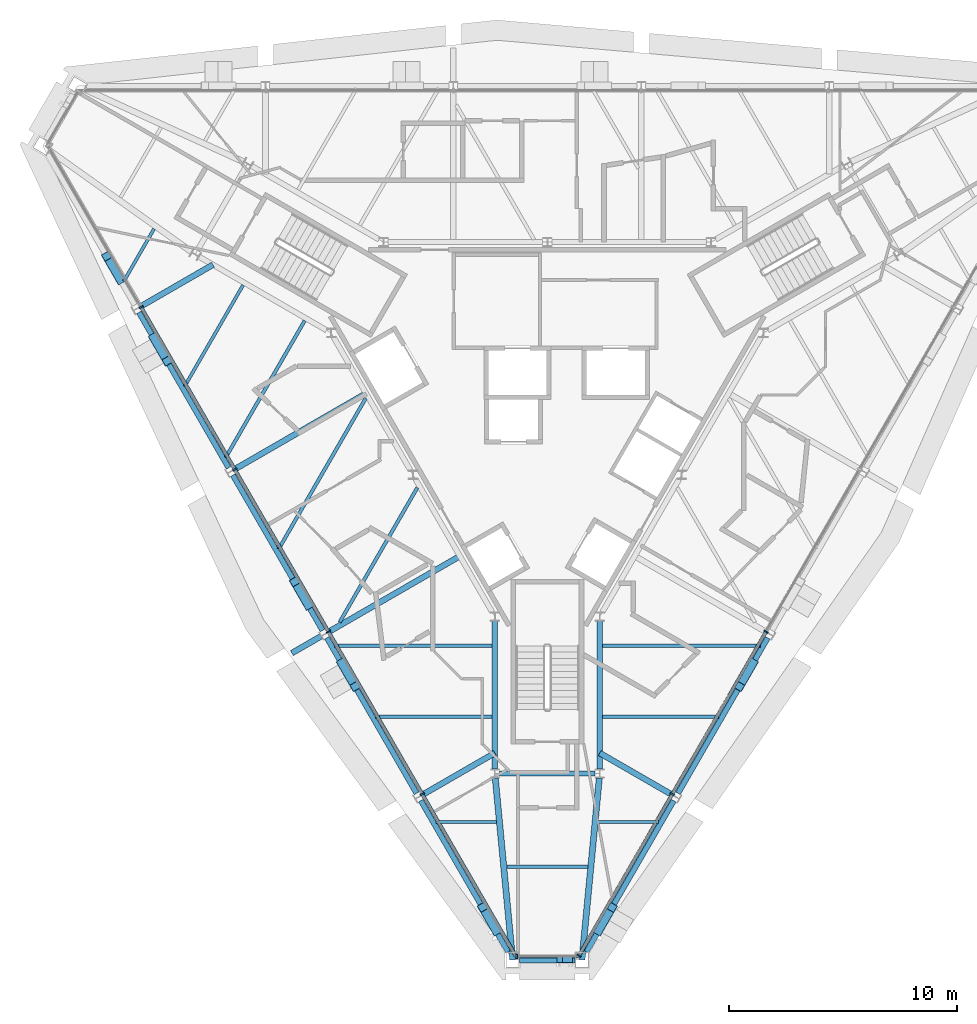
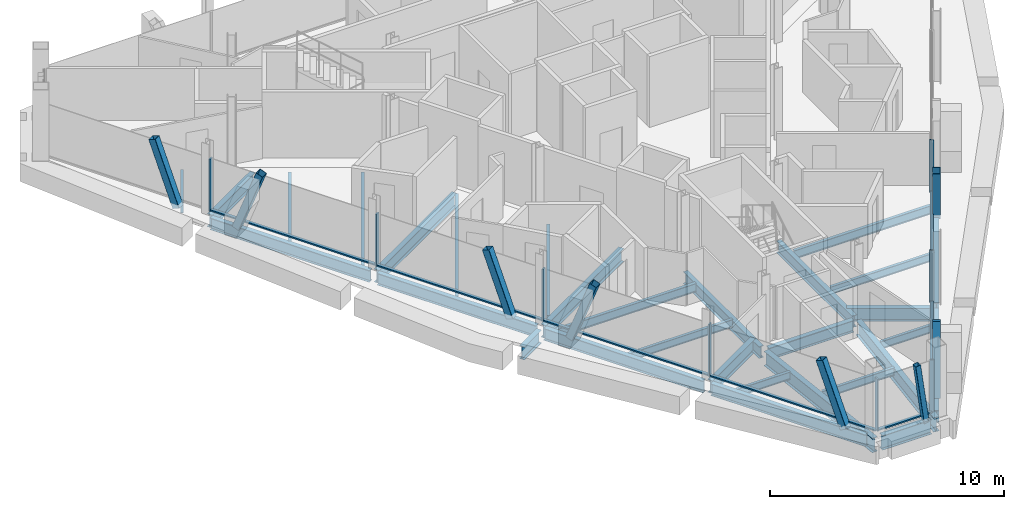
# One storey, part 3 of 13: 30 beams, 23 members, 3 elements without a shape of their own.
"""IFC4 building model written with IfcOpenShell, lengths in metres."""

import ifcopenshell
import ifcopenshell.guid

model = None  # the IFC model being written
_history = None  # IfcOwnerHistory: only IFC2X3 demands one
_inside = {}  # id of a spatial element -> (the spatial element, [elements in it])
_under = {}  # id of a project, library or spatial element -> (it, [spatial elements below it])
_declared = {}  # id of a project -> (the project, [libraries it declares])
_typed = {}  # id of a type object -> (the type object, [elements of that type])
_made_of = {}  # id of a material, layer set ... -> (it, [elements and type objects made of it])


def new_model(schema):
    """Start an empty IFC model of exactly this schema.

    Asked for "IFC4X3", IfcOpenShell would pick the latest addendum, in which some entities
    have other attributes; the version numbers below select the first issue.
    IFC2X3 requires an IfcOwnerHistory on every rooted entity: one is made here for all.
    """
    global model, _history
    if schema == "IFC4X3":
        model = ifcopenshell.file(schema_version=(4, 3, 0, 0))
    else:
        model = ifcopenshell.file(schema=schema)
    _inside.clear()
    _under.clear()
    _declared.clear()
    _typed.clear()
    _made_of.clear()
    _history = None
    if model.schema == "IFC2X3":
        org = make("IfcOrganization", Name="unknown")
        user = make(
            "IfcPersonAndOrganization",
            ThePerson=make("IfcPerson", FamilyName="unknown"),
            TheOrganization=org,
        )
        app = make(
            "IfcApplication",
            ApplicationDeveloper=org,
            Version="unknown",
            ApplicationFullName="unknown",
            ApplicationIdentifier="unknown",
        )
        _history = make(
            "IfcOwnerHistory",
            OwningUser=user,
            OwningApplication=app,
            ChangeAction="ADDED",
            CreationDate=0,
        )
    return model


def make(cls, **values):
    """One entity of the class cls with the attributes given. An attribute that is None is left unset."""
    return model.create_entity(
        cls, **{name: value for name, value in values.items() if value is not None}
    )


def rooted(cls, **values):
    """An entity with a GlobalId (a new one), such as an element, a storey or a relation."""
    return make(cls, GlobalId=ifcopenshell.guid.new(), OwnerHistory=_history, **values)


def si_unit(unit_type, name, prefix=None):
    """IfcSIUnit, for example si_unit("LENGTHUNIT", "METRE", prefix="MILLI")."""
    return make("IfcSIUnit", UnitType=unit_type, Prefix=prefix, Name=name)


def assignment(units):
    """IfcUnitAssignment: the units of a project."""
    return None if units is None else make("IfcUnitAssignment", Units=units)


def point(xyz):
    """IfcCartesianPoint."""
    return None if xyz is None else make("IfcCartesianPoint", Coordinates=xyz)


def direction(xyz):
    """IfcDirection."""
    return None if xyz is None else make("IfcDirection", DirectionRatios=xyz)


def frame(location, z_axis=None, x_axis=None):
    """IfcAxis2Placement3D, a coordinate frame: its origin and axes. An axis left out is left unset."""
    return make(
        "IfcAxis2Placement3D",
        Location=point(location),
        Axis=direction(z_axis),
        RefDirection=direction(x_axis),
    )


def frame_2d(location, x_axis=None):
    """IfcAxis2Placement2D, a coordinate frame in the plane: its origin and x axis."""
    return make(
        "IfcAxis2Placement2D", Location=point(location), RefDirection=direction(x_axis)
    )


def origin():
    """The frame at (0, 0, 0) with its axes left unset."""
    return frame((0.0, 0.0, 0.0))


def origin_2d():
    """The frame at (0, 0) in the plane with its x axis left unset."""
    return frame_2d((0.0, 0.0))


def place(relative_to, where):
    """IfcLocalPlacement: puts the frame where relative to a parent placement (None: the world)."""
    return make(
        "IfcLocalPlacement", PlacementRelTo=relative_to, RelativePlacement=where
    )


def context(
    kind, dimensions, precision=None, world=None, true_north=None, identifier=None
):
    """IfcGeometricRepresentationContext, for example the 3D "Model" context."""
    return make(
        "IfcGeometricRepresentationContext",
        ContextIdentifier=identifier,
        ContextType=kind,
        CoordinateSpaceDimension=dimensions,
        Precision=precision,
        WorldCoordinateSystem=world,
        TrueNorth=true_north,
    )


def subcontext(parent, identifier, kind, view, scale=None):
    """IfcGeometricRepresentationSubContext, for example "Body" below "Model"."""
    return make(
        "IfcGeometricRepresentationSubContext",
        ContextIdentifier=identifier,
        ContextType=kind,
        ParentContext=parent,
        TargetScale=scale,
        TargetView=view,
    )


def project(units=None, contexts=None):
    """IfcProject with its units and contexts."""
    return rooted(
        "IfcProject",
        Name="project",
        RepresentationContexts=contexts,
        UnitsInContext=assignment(units),
    )


def spatial(cls, under=None, at=None, **own):
    """A site, building, storey or space (cls), placed at a placement, below another one or the project."""
    s = rooted(cls, ObjectPlacement=at, **own)
    if under is not None:
        _under.setdefault(under.id(), (under, []))[1].append(s)
    return s


def profile(cls, at=None, kind="AREA", **sizes):
    """A parametric profile (cls). Its sizes go by their IFC names, for example OverallWidth=200.0."""
    return make(cls, ProfileType=kind, Position=at, **sizes)


def rectangle(**sizes):
    """IfcRectangleProfileDef."""
    return profile("IfcRectangleProfileDef", **sizes)


def hollow_rectangle(**sizes):
    """IfcRectangleHollowProfileDef."""
    return profile("IfcRectangleHollowProfileDef", **sizes)


def i_section(**sizes):
    """IfcIShapeProfileDef."""
    return profile("IfcIShapeProfileDef", **sizes)


def extrude(swept, where, along, depth):
    """IfcExtrudedAreaSolid: the profile swept, set in the frame where, extruded along a direction by depth."""
    return make(
        "IfcExtrudedAreaSolid",
        SweptArea=swept,
        Position=where,
        ExtrudedDirection=direction(along),
        Depth=depth,
    )


def shape(context_of_items, identifier, shape_type, items):
    """IfcShapeRepresentation: the items that make up one representation, for example the "Body"."""
    return make(
        "IfcShapeRepresentation",
        ContextOfItems=context_of_items,
        RepresentationIdentifier=identifier,
        RepresentationType=shape_type,
        Items=items,
    )


def material(Name=None, Category=None):
    """IfcMaterial."""
    return make("IfcMaterial", Name=Name, Category=Category)


def material_profile(
    of_material, cross_section, Name=None, Category=None, Priority=None
):
    """IfcMaterialProfile: a cross section and its material."""
    return make(
        "IfcMaterialProfile",
        Name=Name,
        Material=of_material,
        Profile=cross_section,
        Priority=Priority,
        Category=Category,
    )


def profile_set(profiles, Name=None, composite=None):
    """IfcMaterialProfileSet."""
    return make(
        "IfcMaterialProfileSet",
        Name=Name,
        MaterialProfiles=profiles,
        CompositeProfile=composite,
    )


def made_of(thing, what):
    """Note that an element or type object is made of a material, layer set ...; save() writes the relation."""
    if what is not None:
        _made_of.setdefault(what.id(), (what, []))[1].append(thing)
    return thing


def type_object(cls, material=None, **own):
    """A type object (cls), such as IfcWallType, which elements share."""
    return made_of(rooted(cls, **own), material)


def element(
    cls,
    number,
    at=None,
    inside=None,
    cuts=None,
    type_object=None,
    material=None,
    context=None,
    identifier="Body",
    shape_type=None,
    held_by="IfcProductDefinitionShape",
    body=None,
    shapes=None,
    **own,
):
    """One element of the class cls, such as IfcWall. Its Tag is "e" and its number.

    at: its placement. inside: the storey or other place that contains it. cuts: it is an
    opening in that element (IfcRelVoidsElement). A single representation is given by context,
    identifier, shape_type and body (its items); several are given by shapes. held_by: the class
    of the entity that holds the representations. save() writes the other relations.
    """
    e = rooted(cls, Tag="e%d" % number, ObjectPlacement=at, **own)
    if body is not None:
        shapes = [shape(context, identifier, shape_type, body)]
    if shapes is not None:
        e.Representation = make(held_by, Representations=shapes)
    if inside is not None:
        _inside.setdefault(inside.id(), (inside, []))[1].append(e)
    if cuts is not None:
        rooted(
            "IfcRelVoidsElement", RelatingBuildingElement=cuts, RelatedOpeningElement=e
        )
    if type_object is not None:
        _typed.setdefault(type_object.id(), (type_object, []))[1].append(e)
    return made_of(e, material)


def aggregate(whole, parts):
    """IfcRelAggregates: a whole, such as a stair, and the parts it consists of."""
    return rooted("IfcRelAggregates", RelatingObject=whole, RelatedObjects=parts)


def save(model, path):
    """Write the relations noted so far, then the file.

    IfcRelAggregates (storeys below a building ...), IfcRelContainedInSpatialStructure (elements
    in a storey), IfcRelDefinesByType, IfcRelAssociatesMaterial and IfcRelDeclares: one each for
    every whole, place, type object, material and project.
    """
    for whole, parts in _under.values():
        aggregate(whole, parts)
    for where, things in _inside.values():
        rooted(
            "IfcRelContainedInSpatialStructure",
            RelatedElements=things,
            RelatingStructure=where,
        )
    for kind, things in _typed.values():
        rooted("IfcRelDefinesByType", RelatedObjects=things, RelatingType=kind)
    for what, things in _made_of.values():
        rooted("IfcRelAssociatesMaterial", RelatedObjects=things, RelatingMaterial=what)
    for by, libraries in _declared.values():
        rooted("IfcRelDeclares", RelatingContext=by, RelatedDefinitions=libraries)
    model.write(path)


model = new_model("IFC4")

# Units and contexts
model_context = context("Model", 3, precision=1e-05, world=origin(), true_north=direction((0.0, 1.0)))
body_context = subcontext(model_context, "Body", "Model", "MODEL_VIEW")
ifc_project = project(units=[si_unit("LENGTHUNIT", "METRE"), si_unit("AREAUNIT", "SQUARE_METRE"), si_unit("VOLUMEUNIT", "CUBIC_METRE"), si_unit("PLANEANGLEUNIT", "RADIAN"), si_unit("MASSUNIT", "GRAM", prefix="KILO")], contexts=[model_context])

# Site, building, storey
site_placement = place(None, origin())
site = spatial("IfcSite", under=ifc_project, at=site_placement, CompositionType="ELEMENT")
building_placement = place(site_placement, origin())
building = spatial("IfcBuilding", under=site, at=building_placement, Name="Verrane Prism Tower", CompositionType="ELEMENT")
storey_placement = place(building_placement, frame((0.0, 0.0, 289.89990234375)))
storey = spatial("IfcBuildingStorey", under=building, at=storey_placement, Name="L73", CompositionType="ELEMENT", Elevation=289.89990234375)

# Member
ifc_material_1 = material(Name="Steel A500 Grade C", Category="steel")
ifc_material_profile_1 = material_profile(ifc_material_1, hollow_rectangle(XDim=0.25390625, YDim=0.25390625, WallThickness=0.009521484375, InnerFilletRadius=0.0048828125, OuterFilletRadius=0.014404296875, at=origin_2d()), Name="HSS10x10x3/8")
ifc_profile_set_1 = profile_set([ifc_material_profile_1], Name="Steel A500 Grade C")
member_type_1 = type_object("IfcMemberType", Name="Chamfer brace HSS10x10x3/8", PredefinedType="BRACE", material=ifc_profile_set_1)
member_1_placement = place(storey_placement, frame((0.972900390625, -24.669921875, -0.242431640625), z_axis=(-0.135720914118, 0.0, 0.990747108737), x_axis=(0.0, -1.0, 0.0)))
element("IfcMember", 1, at=member_1_placement, inside=storey, type_object=member_type_1, Name="Chamfer brace S0 L73", PredefinedType="BRACE", context=body_context, shape_type="SweptSolid", body=[
    extrude(hollow_rectangle(XDim=0.25390625, YDim=0.25390625, WallThickness=0.009521484375, InnerFilletRadius=0.0048828125, OuterFilletRadius=0.014404296875, at=origin_2d()), origin(), (0.0, 0.0, 1.0), 3.13720703125),
])

# Beams
ifc_material_2 = material(Name="Steel A992", Category="steel")
ifc_material_profile_2 = material_profile(ifc_material_2, i_section(OverallWidth=0.2666015625, OverallDepth=0.7568359375, WebThickness=0.013916015625, FlangeThickness=0.019287109375, FilletRadius=0.0166015625, at=origin_2d()), Name="W30x108")
ifc_profile_set_2 = profile_set([ifc_material_profile_2], Name="Steel A992")
beam_type_1 = type_object("IfcBeamType", Name="Chamfer spandrel beam W30x108", PredefinedType="SPANDREL", material=ifc_profile_set_2)
beam_1_placement = place(storey_placement, frame((-1.219970703125, -24.669921875, -0.538330078125), z_axis=(1.0, 0.0, 0.0), x_axis=(0.0, 1.0, 0.0)))
element("IfcBeam", 2, at=beam_1_placement, inside=storey, type_object=beam_type_1, Name="Chamfer spandrel beam L73", PredefinedType="SPANDREL", context=body_context, shape_type="SweptSolid", body=[
    extrude(i_section(OverallWidth=0.2666015625, OverallDepth=0.7568359375, WebThickness=0.013916015625, FlangeThickness=0.019287109375, FilletRadius=0.0166015625, at=origin_2d()), origin(), (0.0, 0.0, 1.0), 2.43994140625),
])
ifc_material_3 = material(Name="Steel A992", Category="steel")
ifc_material_profile_3 = material_profile(ifc_material_3, i_section(OverallWidth=0.23046875, OverallDepth=0.6171875, WebThickness=0.01318359375, FlangeThickness=0.022216796875, FilletRadius=0.012939453125, at=origin_2d()), Name="W24x94")
ifc_profile_set_3 = profile_set([ifc_material_profile_3], Name="Steel A992")
beam_type_2 = type_object("IfcBeamType", Name="Core ring girder W24x94", PredefinedType="BEAM", material=ifc_profile_set_3)
beam_2_placement = place(storey_placement, frame((-2.300048828125, -9.81298828125, -0.55859375), z_axis=(0.0, -1.0, 0.0), x_axis=(1.0, 0.0, 0.0)))
element("IfcBeam", 3, at=beam_2_placement, inside=storey, type_object=beam_type_2, Name="Core ring girder L73", PredefinedType="BEAM", context=body_context, shape_type="SweptSolid", body=[
    extrude(i_section(OverallWidth=0.23046875, OverallDepth=0.6171875, WebThickness=0.01318359375, FlangeThickness=0.022216796875, FilletRadius=0.012939453125, at=origin_2d()), origin(), (0.0, 0.0, 1.0), 6.487548828125),
])
beam_3_placement = place(storey_placement, frame((-2.099365234375, -16.5, -0.55859375), z_axis=(1.0, 0.0, 0.0), x_axis=(0.0, 1.0, 0.0)))
element("IfcBeam", 4, at=beam_3_placement, inside=storey, type_object=beam_type_2, Name="Core ring girder L73", PredefinedType="BEAM", context=body_context, shape_type="SweptSolid", body=[
    extrude(i_section(OverallWidth=0.23046875, OverallDepth=0.6171875, WebThickness=0.01318359375, FlangeThickness=0.022216796875, FilletRadius=0.012939453125, at=origin_2d()), origin(), (0.0, 0.0, 1.0), 4.19873046875),
])
beam_4_placement = place(storey_placement, frame((2.300048828125, -16.300537109375, -0.55859375), z_axis=(0.0, 1.0, 0.0), x_axis=(-1.0, 0.0, 0.0)))
element("IfcBeam", 5, at=beam_4_placement, inside=storey, type_object=beam_type_2, Name="Core ring girder L73", PredefinedType="BEAM", context=body_context, shape_type="SweptSolid", body=[
    extrude(i_section(OverallWidth=0.23046875, OverallDepth=0.6171875, WebThickness=0.01318359375, FlangeThickness=0.022216796875, FilletRadius=0.012939453125, at=origin_2d()), origin(), (0.0, 0.0, 1.0), 6.487548828125),
])
ifc_material_4 = material(Name="Steel A992", Category="steel")
ifc_material_profile_4 = material_profile(ifc_material_4, i_section(OverallWidth=0.2666015625, OverallDepth=0.7568359375, WebThickness=0.013916015625, FlangeThickness=0.019287109375, FilletRadius=0.0166015625, at=origin_2d()), Name="W30x108")
ifc_profile_set_4 = profile_set([ifc_material_profile_4], Name="Steel A992")
beam_type_3 = type_object("IfcBeamType", Name="Corner girder W30x108", PredefinedType="BEAM", material=ifc_profile_set_4)
for number, where, z_axis, x_axis, name in (
    (6, (-1.520263671875, -24.667236328125, -0.598388671875), (-0.095045157177, 0.995472962012, 0.0), (-0.995472962012, -0.095045157177, 0.0), "Corner girder L73"),
    (7, (1.520263671875, -24.667236328125, -0.598388671875), (0.095045157177, 0.995472962012, 0.0), (-0.995472962012, 0.095045157177, 0.0), "Corner girder L73"),
):
    element("IfcBeam", number, at=place(storey_placement, frame(where, z_axis=z_axis, x_axis=x_axis)), inside=storey, type_object=beam_type_3, Name=name, PredefinedType="BEAM", context=body_context, shape_type="SweptSolid", body=[
        extrude(i_section(OverallWidth=0.2666015625, OverallDepth=0.7568359375, WebThickness=0.013916015625, FlangeThickness=0.019287109375, FilletRadius=0.0166015625, at=origin_2d()), origin(), (0.0, 0.0, 1.0), 8.00390625),
    ])

# Members
ifc_material_5 = material(Name="Steel A500 Grade C", Category="steel")
ifc_material_profile_5 = material_profile(ifc_material_5, hollow_rectangle(XDim=0.355712890625, YDim=0.355712890625, WallThickness=0.0126953125, InnerFilletRadius=0.00634765625, OuterFilletRadius=0.01904296875, at=origin_2d()), Name="HSS14x14x1/2")
ifc_profile_set_5 = profile_set([ifc_material_profile_5], Name="Steel A500 Grade C")
member_type_2 = type_object("IfcMemberType", Name="Facade brace HSS14x14x1/2", PredefinedType="BRACE", material=ifc_profile_set_5)
member_2_placement = place(storey_placement, frame((-18.7333984375, 5.15087890625, -0.216552734375), z_axis=(-0.174010693257, 0.30154692564, 0.937437854084), x_axis=(-0.86613421761, -0.499811481546, 0.0)))
element("IfcMember", 8, at=member_2_placement, inside=storey, type_object=member_type_2, Name="Facade brace SW0 L73", PredefinedType="BRACE", context=body_context, shape_type="SweptSolid", body=[
    extrude(hollow_rectangle(XDim=0.355712890625, YDim=0.355712890625, WallThickness=0.0126953125, InnerFilletRadius=0.00634765625, OuterFilletRadius=0.01904296875, at=origin_2d()), origin(), (0.0, 0.0, 1.0), 3.409423828125),
])
member_3_placement = place(storey_placement, frame((-17.2666015625, 2.60888671875, -0.216552734375), z_axis=(0.174014450445, -0.301481825669, 0.937458094972), x_axis=(0.86608282171, 0.499900536046, 0.0)))
element("IfcMember", 9, at=member_3_placement, inside=storey, type_object=member_type_2, Name="Facade brace SW1 L73", PredefinedType="BRACE", context=body_context, shape_type="SweptSolid", body=[
    extrude(hollow_rectangle(XDim=0.355712890625, YDim=0.355712890625, WallThickness=0.0126953125, InnerFilletRadius=0.00634765625, OuterFilletRadius=0.01904296875, at=origin_2d()), origin(), (0.0, 0.0, 1.0), 3.4091796875),
])
member_4_placement = place(storey_placement, frame((-10.493408203125, -9.120849609375, -0.216552734375), z_axis=(-0.17403322665, 0.301156262578, 0.937559246945), x_axis=(-0.865825429664, -0.500346205489, 0.0)))
element("IfcMember", 10, at=member_4_placement, inside=storey, type_object=member_type_2, Name="Facade brace SW2 L73", PredefinedType="BRACE", context=body_context, shape_type="SweptSolid", body=[
    extrude(hollow_rectangle(XDim=0.355712890625, YDim=0.355712890625, WallThickness=0.0126953125, InnerFilletRadius=0.00634765625, OuterFilletRadius=0.01904296875, at=origin_2d()), origin(), (0.0, 0.0, 1.0), 3.408935546875),
])
member_5_placement = place(storey_placement, frame((-9.026611328125, -11.660888671875, -0.216552734375), z_axis=(0.174010693257, -0.30154692564, 0.937437854084), x_axis=(0.86613421761, 0.499811481546, 0.0)))
element("IfcMember", 11, at=member_5_placement, inside=storey, type_object=member_type_2, Name="Facade brace SW3 L73", PredefinedType="BRACE", context=body_context, shape_type="SweptSolid", body=[
    extrude(hollow_rectangle(XDim=0.355712890625, YDim=0.355712890625, WallThickness=0.0126953125, InnerFilletRadius=0.00634765625, OuterFilletRadius=0.01904296875, at=origin_2d()), origin(), (0.0, 0.0, 1.0), 3.409423828125),
])
for number, where, z_axis, x_axis, name in (
    (12, (-2.25341796875, -23.39892578125, -0.216552734375), (-0.174014450445, 0.301481825669, 0.937458094972), (-0.86608282171, -0.499900536046, 0.0), "Facade brace SW4 L73"),
    (13, (2.25341796875, -23.39892578125, -0.216552734375), (0.174014450445, 0.301481825669, 0.937458094972), (-0.86608282171, 0.499900536046, 0.0), "Facade brace SE0 L73"),
):
    element("IfcMember", number, at=place(storey_placement, frame(where, z_axis=z_axis, x_axis=x_axis)), inside=storey, type_object=member_type_2, Name=name, PredefinedType="BRACE", context=body_context, shape_type="SweptSolid", body=[
        extrude(hollow_rectangle(XDim=0.355712890625, YDim=0.355712890625, WallThickness=0.0126953125, InnerFilletRadius=0.00634765625, OuterFilletRadius=0.01904296875, at=origin_2d()), origin(), (0.0, 0.0, 1.0), 3.4091796875),
    ])
member_6_placement = place(storey_placement, frame((9.026611328125, -11.660888671875, -0.216552734375), z_axis=(-0.174010693257, -0.30154692564, 0.937437854084), x_axis=(0.86613421761, -0.499811481546, 0.0)))
element("IfcMember", 14, at=member_6_placement, inside=storey, type_object=member_type_2, Name="Facade brace SE1 L73", PredefinedType="BRACE", context=body_context, shape_type="SweptSolid", body=[
    extrude(hollow_rectangle(XDim=0.355712890625, YDim=0.355712890625, WallThickness=0.0126953125, InnerFilletRadius=0.00634765625, OuterFilletRadius=0.01904296875, at=origin_2d()), origin(), (0.0, 0.0, 1.0), 3.409423828125),
])

# Beams
ifc_material_6 = material(Name="Steel A992", Category="steel")
ifc_material_profile_6 = material_profile(ifc_material_6, i_section(OverallWidth=0.140380859375, OverallDepth=0.40380859375, WebThickness=0.007080078125, FlangeThickness=0.01123046875, FilletRadius=0.01025390625, at=origin_2d()), Name="W16x31")
ifc_profile_set_6 = profile_set([ifc_material_profile_6], Name="Steel A992")
beam_type_4 = type_object("IfcBeamType", Name="Floor beam W16x31", PredefinedType="BEAM", material=ifc_profile_set_6)
beam_5_placement = place(storey_placement, frame((-18.565185546875, 5.089599609375, -0.36181640625), z_axis=(0.49994082229, 0.866059567356, 0.0), x_axis=(-0.866059567356, 0.49994082229, 0.0)))
element("IfcBeam", 15, at=beam_5_placement, inside=storey, type_object=beam_type_4, Name="Floor beam L73", PredefinedType="BEAM", context=body_context, shape_type="SweptSolid", body=[
    extrude(i_section(OverallWidth=0.140380859375, OverallDepth=0.40380859375, WebThickness=0.007080078125, FlangeThickness=0.01123046875, FilletRadius=0.01025390625, at=origin_2d()), origin(), (0.0, 0.0, 1.0), 2.645263671875),
])
beam_6_placement = place(storey_placement, frame((-15.902099609375, 0.474609375, -0.36181640625), z_axis=(0.500011000363, 0.866019052629, 0.0), x_axis=(-0.866019052629, 0.500011000363, 0.0)))
element("IfcBeam", 16, at=beam_6_placement, inside=storey, type_object=beam_type_4, Name="Floor beam L73", PredefinedType="BEAM", context=body_context, shape_type="SweptSolid", body=[
    extrude(i_section(OverallWidth=0.140380859375, OverallDepth=0.40380859375, WebThickness=0.007080078125, FlangeThickness=0.01123046875, FilletRadius=0.01025390625, at=origin_2d()), origin(), (0.0, 0.0, 1.0), 5.126953125),
])
beam_7_placement = place(storey_placement, frame((-7.538330078125, -14.010009765625, -0.36181640625), z_axis=(1.0, 0.0, 0.0), x_axis=(0.0, 1.0, 0.0)))
element("IfcBeam", 17, at=beam_7_placement, inside=storey, type_object=beam_type_4, Name="Floor beam L73", PredefinedType="BEAM", context=body_context, shape_type="SweptSolid", body=[
    extrude(i_section(OverallWidth=0.140380859375, OverallDepth=0.40380859375, WebThickness=0.007080078125, FlangeThickness=0.01123046875, FilletRadius=0.01025390625, at=origin_2d()), origin(), (0.0, 0.0, 1.0), 5.123291015625),
])
for number, where, z_axis, x_axis, name in (
    (18, (-4.876220703125, -18.623291015625, -0.36181640625), (1.0, 0.0, 0.0), (0.0, 1.0, 0.0), "Floor beam L73"),
    (19, (2.2314453125, -18.623291015625, -0.36181640625), (1.0, 0.0, 0.0), (0.0, 1.0, 0.0), "Floor beam L73"),
):
    element("IfcBeam", number, at=place(storey_placement, frame(where, z_axis=z_axis, x_axis=x_axis)), inside=storey, type_object=beam_type_4, Name=name, PredefinedType="BEAM", context=body_context, shape_type="SweptSolid", body=[
        extrude(i_section(OverallWidth=0.140380859375, OverallDepth=0.40380859375, WebThickness=0.007080078125, FlangeThickness=0.01123046875, FilletRadius=0.01025390625, at=origin_2d()), origin(), (0.0, 0.0, 1.0), 2.644775390625),
    ])
beam_8_placement = place(storey_placement, frame((2.4150390625, -14.010009765625, -0.36181640625), z_axis=(1.0, 0.0, 0.0), x_axis=(0.0, 1.0, 0.0)))
element("IfcBeam", 20, at=beam_8_placement, inside=storey, type_object=beam_type_4, Name="Floor beam L73", PredefinedType="BEAM", context=body_context, shape_type="SweptSolid", body=[
    extrude(i_section(OverallWidth=0.140380859375, OverallDepth=0.40380859375, WebThickness=0.007080078125, FlangeThickness=0.01123046875, FilletRadius=0.01025390625, at=origin_2d()), origin(), (0.0, 0.0, 1.0), 5.123291015625),
])
beam_9_placement = place(storey_placement, frame((-1.77587890625, -20.5849609375, -0.36181640625), z_axis=(1.0, 0.0, 0.0), x_axis=(0.0, 1.0, 0.0)))
element("IfcBeam", 21, at=beam_9_placement, inside=storey, type_object=beam_type_4, Name="Floor beam L73", PredefinedType="BEAM", context=body_context, shape_type="SweptSolid", body=[
    extrude(i_section(OverallWidth=0.140380859375, OverallDepth=0.40380859375, WebThickness=0.007080078125, FlangeThickness=0.01123046875, FilletRadius=0.01025390625, at=origin_2d()), origin(), (0.0, 0.0, 1.0), 3.5517578125),
])
ifc_material_7 = material(Name="Steel A992", Category="steel")
ifc_material_profile_7 = material_profile(ifc_material_7, i_section(OverallWidth=0.15234375, OverallDepth=0.449462890625, WebThickness=0.007568359375, FlangeThickness=0.0107421875, FilletRadius=0.01025390625, at=origin_2d()), Name="W18x35")
ifc_profile_set_7 = profile_set([ifc_material_profile_7], Name="Steel A992")
beam_type_5 = type_object("IfcBeamType", Name="Floor beam W18x35", PredefinedType="BEAM", material=ifc_profile_set_7)
beam_10_placement = place(storey_placement, frame((-14.1015625, -2.64599609375, -0.384765625), z_axis=(0.49999287541, 0.866029517129, 0.0), x_axis=(-0.866029517129, 0.49999287541, 0.0)))
element("IfcBeam", 22, at=beam_10_placement, inside=storey, type_object=beam_type_5, Name="Floor beam L73", PredefinedType="BEAM", context=body_context, shape_type="SweptSolid", body=[
    extrude(i_section(OverallWidth=0.15234375, OverallDepth=0.449462890625, WebThickness=0.007568359375, FlangeThickness=0.0107421875, FilletRadius=0.01025390625, at=origin_2d()), origin(), (0.0, 0.0, 1.0), 6.92919921875),
])
beam_11_placement = place(storey_placement, frame((-9.103271484375, -9.864501953125, -0.384765625), z_axis=(0.49999337185, 0.866029230515, 0.0), x_axis=(-0.866029230515, 0.49999337185, 0.0)))
element("IfcBeam", 23, at=beam_11_placement, inside=storey, type_object=beam_type_5, Name="Floor beam L73", PredefinedType="BEAM", context=body_context, shape_type="SweptSolid", body=[
    extrude(i_section(OverallWidth=0.15234375, OverallDepth=0.449462890625, WebThickness=0.007568359375, FlangeThickness=0.0107421875, FilletRadius=0.01025390625, at=origin_2d()), origin(), (0.0, 0.0, 1.0), 6.8125),
])
beam_12_placement = place(storey_placement, frame((-11.78076171875, -6.6630859375, -0.384765625), z_axis=(0.499997113229, 0.866027070456, 0.0), x_axis=(-0.866027070456, 0.499997113229, 0.0)))
element("IfcBeam", 24, at=beam_12_placement, inside=storey, type_object=beam_type_5, Name="Floor beam L73", PredefinedType="BEAM", context=body_context, shape_type="SweptSolid", body=[
    extrude(i_section(OverallWidth=0.15234375, OverallDepth=0.449462890625, WebThickness=0.007568359375, FlangeThickness=0.0107421875, FilletRadius=0.01025390625, at=origin_2d()), origin(), (0.0, 0.0, 1.0), 7.64306640625),
])
for number, where, z_axis, x_axis, name in (
    (25, (-9.338623046875, -10.889892578125, -0.384765625), (1.0, 0.0, 0.0), (0.0, 1.0, 0.0), "Floor beam L73"),
    (26, (2.4150390625, -10.889892578125, -0.384765625), (1.0, 0.0, 0.0), (0.0, 1.0, 0.0), "Floor beam L73"),
):
    element("IfcBeam", number, at=place(storey_placement, frame(where, z_axis=z_axis, x_axis=x_axis)), inside=storey, type_object=beam_type_5, Name=name, PredefinedType="BEAM", context=body_context, shape_type="SweptSolid", body=[
        extrude(i_section(OverallWidth=0.15234375, OverallDepth=0.449462890625, WebThickness=0.007568359375, FlangeThickness=0.0107421875, FilletRadius=0.01025390625, at=origin_2d()), origin(), (0.0, 0.0, 1.0), 6.923583984375),
    ])

# Curtain wall, members
ifc_material_8 = material(Name="Aluminium framed insulated glazing", Category="aluminium")
curtain_wall_type = type_object("IfcCurtainWallType", Name="Curtain wall CW-A 8400 module", PredefinedType="NOTDEFINED", material=ifc_material_8)
curtain_wall_1_placement = place(storey_placement, origin())
curtain_wall_1 = element("IfcCurtainWall", 27, at=curtain_wall_1_placement, inside=storey, type_object=curtain_wall_type, Name="Glazed curtain wall south-west face L73", PredefinedType="NOTDEFINED")
ifc_material_9 = material(Name="Aluminium alloy 6063-T6", Category="aluminium")
ifc_material_profile_8 = material_profile(ifc_material_9, rectangle(XDim=0.199951171875, YDim=0.070068359375, at=origin_2d()), Name="Mullion 70x200 aluminium")
ifc_profile_set_8 = profile_set([ifc_material_profile_8], Name="Aluminium alloy 6063-T6")
member_type_3 = type_object("IfcMemberType", Name="Mullion 70x200 aluminium", PredefinedType="MULLION", material=ifc_profile_set_8)
member_7_placement = place(storey_placement, frame((-17.8095703125, 3.952392578125, 0.0), z_axis=(0.0, 0.0, 1.0), x_axis=(0.866024861728, 0.500000938868, 0.0)))
member_7 = element("IfcMember", 28, at=member_7_placement, type_object=member_type_3, Name="CW72.4 mullion 2", PredefinedType="MULLION", context=body_context, shape_type="SweptSolid", body=[
    extrude(rectangle(XDim=0.199951171875, YDim=0.070068359375, at=origin_2d()), origin(), (0.0, 0.0, 1.0), 2.72314453125),
])
member_8_placement = place(storey_placement, frame((-13.7001953125, -3.1650390625, 0.0), z_axis=(0.0, 0.0, 1.0), x_axis=(0.866024861728, 0.500000938868, 0.0)))
member_8 = element("IfcMember", 29, at=member_8_placement, type_object=member_type_3, Name="CW72.4 mullion 3", PredefinedType="MULLION", context=body_context, shape_type="SweptSolid", body=[
    extrude(rectangle(XDim=0.199951171875, YDim=0.070068359375, at=origin_2d()), origin(), (0.0, 0.0, 1.0), 2.72314453125),
])
member_9_placement = place(storey_placement, frame((-9.591064453125, -10.2822265625, 0.0), z_axis=(0.0, 0.0, 1.0), x_axis=(0.866024861728, 0.500000938868, 0.0)))
member_9 = element("IfcMember", 30, at=member_9_placement, type_object=member_type_3, Name="CW72.4 mullion 4", PredefinedType="MULLION", context=body_context, shape_type="SweptSolid", body=[
    extrude(rectangle(XDim=0.199951171875, YDim=0.070068359375, at=origin_2d()), origin(), (0.0, 0.0, 1.0), 2.72314453125),
])
member_10_placement = place(storey_placement, frame((-5.48193359375, -17.399658203125, 0.0), z_axis=(0.0, 0.0, 1.0), x_axis=(0.866024861728, 0.500000938868, 0.0)))
member_10 = element("IfcMember", 31, at=member_10_placement, type_object=member_type_3, Name="CW72.4 mullion 5", PredefinedType="MULLION", context=body_context, shape_type="SweptSolid", body=[
    extrude(rectangle(XDim=0.199951171875, YDim=0.070068359375, at=origin_2d()), origin(), (0.0, 0.0, 1.0), 2.72314453125),
])

# Curtain wall, member
curtain_wall_2_placement = place(storey_placement, origin())
curtain_wall_2 = element("IfcCurtainWall", 32, at=curtain_wall_2_placement, inside=storey, type_object=curtain_wall_type, Name="Glazed curtain wall south corner L73", PredefinedType="NOTDEFINED")
member_11_placement = place(storey_placement, frame((-1.337646484375, -24.51708984375, 0.0), z_axis=(0.0, 0.0, 1.0), x_axis=(0.0, 1.0, 0.0)))
member_11 = element("IfcMember", 33, at=member_11_placement, type_object=member_type_3, Name="CW72.5 mullion 1", PredefinedType="MULLION", context=body_context, shape_type="SweptSolid", body=[
    extrude(rectangle(XDim=0.199951171875, YDim=0.070068359375, at=origin_2d()), origin(), (0.0, 0.0, 1.0), 2.72314453125),
])

# Curtain wall, members
curtain_wall_3_placement = place(storey_placement, origin())
curtain_wall_3 = element("IfcCurtainWall", 34, at=curtain_wall_3_placement, inside=storey, type_object=curtain_wall_type, Name="Glazed curtain wall south-east face L73", PredefinedType="NOTDEFINED")
member_12_placement = place(storey_placement, frame((1.39013671875, -24.486572265625, 0.0), z_axis=(0.0, 0.0, 1.0), x_axis=(-0.866024861728, 0.500000938868, 0.0)))
member_12 = element("IfcMember", 35, at=member_12_placement, type_object=member_type_3, Name="CW72.6 mullion 1", PredefinedType="MULLION", context=body_context, shape_type="SweptSolid", body=[
    extrude(rectangle(XDim=0.199951171875, YDim=0.070068359375, at=origin_2d()), origin(), (0.0, 0.0, 1.0), 2.72314453125),
])
member_13_placement = place(storey_placement, frame((5.48193359375, -17.399658203125, 0.0), z_axis=(0.0, 0.0, 1.0), x_axis=(-0.866024861728, 0.500000938868, 0.0)))
member_13 = element("IfcMember", 36, at=member_13_placement, type_object=member_type_3, Name="CW72.6 mullion 2", PredefinedType="MULLION", context=body_context, shape_type="SweptSolid", body=[
    extrude(rectangle(XDim=0.199951171875, YDim=0.070068359375, at=origin_2d()), origin(), (0.0, 0.0, 1.0), 2.72314453125),
])
member_14_placement = place(storey_placement, frame((9.591064453125, -10.2822265625, 0.0), z_axis=(0.0, 0.0, 1.0), x_axis=(-0.866024861728, 0.500000938868, 0.0)))
member_14 = element("IfcMember", 37, at=member_14_placement, type_object=member_type_3, Name="CW72.6 mullion 3", PredefinedType="MULLION", context=body_context, shape_type="SweptSolid", body=[
    extrude(rectangle(XDim=0.199951171875, YDim=0.070068359375, at=origin_2d()), origin(), (0.0, 0.0, 1.0), 2.72314453125),
])

# Beams
ifc_material_10 = material(Name="Steel A992", Category="steel")
ifc_material_profile_9 = material_profile(ifc_material_10, i_section(OverallWidth=0.25390625, OverallDepth=0.683349609375, WebThickness=0.012451171875, FlangeThickness=0.01904296875, FilletRadius=0.01513671875, at=origin_2d()), Name="W27x94")
ifc_profile_set_9 = profile_set([ifc_material_profile_9], Name="Steel A992")
beam_type_6 = type_object("IfcBeamType", Name="Radial girder W27x94", PredefinedType="BEAM", material=ifc_profile_set_9)
beam_13_placement = place(storey_placement, frame((-17.840576171875, 3.97216796875, -0.5615234375), z_axis=(0.866042841795, 0.499969795263, 0.0), x_axis=(-0.499969795263, 0.866042841795, 0.0)))
element("IfcBeam", 38, at=beam_13_placement, inside=storey, type_object=beam_type_6, Name="Radial girder L73", PredefinedType="BEAM", context=body_context, shape_type="SweptSolid", body=[
    extrude(i_section(OverallWidth=0.25390625, OverallDepth=0.683349609375, WebThickness=0.012451171875, FlangeThickness=0.01904296875, FilletRadius=0.01513671875, at=origin_2d()), origin(), (0.0, 0.0, 1.0), 3.674072265625),
])
beam_14_placement = place(storey_placement, frame((-13.720458984375, -3.16796875, -0.5615234375), z_axis=(0.866025791777, 0.499999327977, 0.0), x_axis=(-0.499999327977, 0.866025791777, 0.0)))
element("IfcBeam", 39, at=beam_14_placement, inside=storey, type_object=beam_type_6, Name="Radial girder L73", PredefinedType="BEAM", context=body_context, shape_type="SweptSolid", body=[
    extrude(i_section(OverallWidth=0.25390625, OverallDepth=0.683349609375, WebThickness=0.012451171875, FlangeThickness=0.01904296875, FilletRadius=0.01513671875, at=origin_2d()), origin(), (0.0, 0.0, 1.0), 6.666015625),
])
beam_15_placement = place(storey_placement, frame((-9.6005859375, -10.2978515625, -0.5615234375), z_axis=(0.866031183428, 0.49998998923, 0.0), x_axis=(-0.49998998923, 0.866031183428, 0.0)))
element("IfcBeam", 40, at=beam_15_placement, inside=storey, type_object=beam_type_6, Name="Radial girder L73", PredefinedType="BEAM", context=body_context, shape_type="SweptSolid", body=[
    extrude(i_section(OverallWidth=0.25390625, OverallDepth=0.683349609375, WebThickness=0.012451171875, FlangeThickness=0.01904296875, FilletRadius=0.01513671875, at=origin_2d()), origin(), (0.0, 0.0, 1.0), 6.661865234375),
])
for number, where, z_axis, x_axis, name in (
    (41, (-5.48046875, -17.43798828125, -0.5615234375), (0.866029490193, 0.499992922065, 0.0), (-0.499992922065, 0.866029490193, 0.0), "Radial girder L73"),
    (42, (5.48046875, -17.43798828125, -0.5615234375), (-0.866029490193, 0.499992922065, 0.0), (-0.499992922065, -0.866029490193, 0.0), "Radial girder L73"),
):
    element("IfcBeam", number, at=place(storey_placement, frame(where, z_axis=z_axis, x_axis=x_axis)), inside=storey, type_object=beam_type_6, Name=name, PredefinedType="BEAM", context=body_context, shape_type="SweptSolid", body=[
        extrude(i_section(OverallWidth=0.25390625, OverallDepth=0.683349609375, WebThickness=0.012451171875, FlangeThickness=0.01904296875, FilletRadius=0.01513671875, at=origin_2d()), origin(), (0.0, 0.0, 1.0), 3.67236328125),
    ])
beam_16_placement = place(storey_placement, frame((-9.916015625, -10.47998046875, -0.5615234375), z_axis=(-0.865968359144, -0.500098791201, 0.0), x_axis=(0.500098791201, -0.865968359144, 0.0)))
element("IfcBeam", 43, at=beam_16_placement, inside=storey, type_object=beam_type_6, Name="Cantilever girder L73", PredefinedType="BEAM", context=body_context, shape_type="SweptSolid", body=[
    extrude(i_section(OverallWidth=0.25390625, OverallDepth=0.683349609375, WebThickness=0.012451171875, FlangeThickness=0.01904296875, FilletRadius=0.01513671875, at=origin_2d()), origin(), (0.0, 0.0, 1.0), 1.478759765625),
])
ifc_material_11 = material(Name="Steel A992", Category="steel")
ifc_material_profile_10 = material_profile(ifc_material_11, i_section(OverallWidth=0.23046875, OverallDepth=0.6171875, WebThickness=0.01318359375, FlangeThickness=0.022216796875, FilletRadius=0.012939453125, at=origin_2d()), Name="W24x94")
ifc_profile_set_10 = profile_set([ifc_material_profile_10], Name="Steel A992")
beam_type_7 = type_object("IfcBeamType", Name="Spandrel beam W24x94", PredefinedType="SPANDREL", material=ifc_profile_set_10)
beam_17_placement = place(storey_placement, frame((-17.90673828125, 3.71826171875, -0.468505859375), z_axis=(0.499786009893, -0.866148915785, 0.0), x_axis=(0.866148915785, 0.499786009893, 0.0)))
element("IfcBeam", 44, at=beam_17_placement, inside=storey, type_object=beam_type_7, Name="Spandrel beam L73", PredefinedType="SPANDREL", context=body_context, shape_type="SweptSolid", body=[
    extrude(i_section(OverallWidth=0.23046875, OverallDepth=0.6171875, WebThickness=0.01318359375, FlangeThickness=0.022216796875, FilletRadius=0.012939453125, at=origin_2d()), origin(), (0.0, 0.0, 1.0), 7.8701171875),
])
beam_18_placement = place(storey_placement, frame((-13.78662109375, -3.421630859375, -0.468505859375), z_axis=(0.500300363133, -0.865851919585, 0.0), x_axis=(0.865851919585, 0.500300363133, 0.0)))
element("IfcBeam", 45, at=beam_18_placement, inside=storey, type_object=beam_type_7, Name="Spandrel beam L73", PredefinedType="SPANDREL", context=body_context, shape_type="SweptSolid", body=[
    extrude(i_section(OverallWidth=0.23046875, OverallDepth=0.6171875, WebThickness=0.01318359375, FlangeThickness=0.022216796875, FilletRadius=0.012939453125, at=origin_2d()), origin(), (0.0, 0.0, 1.0), 7.861572265625),
])
beam_19_placement = place(storey_placement, frame((-9.666748046875, -10.5517578125, -0.468505859375), z_axis=(0.499786009893, -0.866148915785, 0.0), x_axis=(0.866148915785, 0.499786009893, 0.0)))
element("IfcBeam", 46, at=beam_19_placement, inside=storey, type_object=beam_type_7, Name="Spandrel beam L73", PredefinedType="SPANDREL", context=body_context, shape_type="SweptSolid", body=[
    extrude(i_section(OverallWidth=0.23046875, OverallDepth=0.6171875, WebThickness=0.01318359375, FlangeThickness=0.022216796875, FilletRadius=0.012939453125, at=origin_2d()), origin(), (0.0, 0.0, 1.0), 7.8701171875),
])
for number, where, z_axis, x_axis, name in (
    (47, (-5.546630859375, -17.691650390625, -0.468505859375), (0.499783212018, -0.866150530211, 0.0), (0.866150530211, 0.499783212018, 0.0), "Spandrel beam L73"),
    (48, (1.721923828125, -24.320068359375, -0.468505859375), (0.499783212018, 0.866150530211, 0.0), (-0.866150530211, 0.499783212018, 0.0), "Spandrel beam L73"),
):
    element("IfcBeam", number, at=place(storey_placement, frame(where, z_axis=z_axis, x_axis=x_axis)), inside=storey, type_object=beam_type_7, Name=name, PredefinedType="SPANDREL", context=body_context, shape_type="SweptSolid", body=[
        extrude(i_section(OverallWidth=0.23046875, OverallDepth=0.6171875, WebThickness=0.01318359375, FlangeThickness=0.022216796875, FilletRadius=0.012939453125, at=origin_2d()), origin(), (0.0, 0.0, 1.0), 7.65283203125),
    ])
beam_20_placement = place(storey_placement, frame((5.7333984375, -17.368408203125, -0.468505859375), z_axis=(0.499786009893, 0.866148915785, 0.0), x_axis=(-0.866148915785, 0.499786009893, 0.0)))
element("IfcBeam", 49, at=beam_20_placement, inside=storey, type_object=beam_type_7, Name="Spandrel beam L73", PredefinedType="SPANDREL", context=body_context, shape_type="SweptSolid", body=[
    extrude(i_section(OverallWidth=0.23046875, OverallDepth=0.6171875, WebThickness=0.01318359375, FlangeThickness=0.022216796875, FilletRadius=0.012939453125, at=origin_2d()), origin(), (0.0, 0.0, 1.0), 7.8701171875),
])

# Member
ifc_material_12 = material(Name="Aluminium alloy 6063-T6", Category="aluminium")
ifc_material_profile_11 = material_profile(ifc_material_12, rectangle(XDim=0.14990234375, YDim=0.070068359375, at=origin_2d()), Name="Transom 70x150 aluminium")
ifc_profile_set_11 = profile_set([ifc_material_profile_11], Name="Aluminium alloy 6063-T6")
member_type_4 = type_object("IfcMemberType", Name="Transom 70x150 aluminium", PredefinedType="USERDEFINED", material=ifc_profile_set_11)
member_15_placement = place(storey_placement, frame((-17.7919921875, 3.922119140625, 0.03515625), z_axis=(0.500006018292, -0.866021929094, 0.0), x_axis=(0.866021929094, 0.500006018292, 0.0)))
member_15 = element("IfcMember", 50, at=member_15_placement, type_object=member_type_4, Name="CW72.4 transom 2", ObjectType="TRANSOM", PredefinedType="USERDEFINED", context=body_context, shape_type="SweptSolid", body=[
    extrude(rectangle(XDim=0.14990234375, YDim=0.070068359375, at=origin_2d()), origin(), (0.0, 0.0, 1.0), 8.1484375),
])

member_16_placement = place(storey_placement, frame((-13.682861328125, -3.1953125, 0.03515625), z_axis=(0.500006018292, -0.866021929094, 0.0), x_axis=(0.866021929094, 0.500006018292, 0.0)))
member_16 = element("IfcMember", 51, at=member_16_placement, type_object=member_type_4, Name="CW72.4 transom 3", ObjectType="TRANSOM", PredefinedType="USERDEFINED", context=body_context, shape_type="SweptSolid", body=[
    extrude(rectangle(XDim=0.14990234375, YDim=0.070068359375, at=origin_2d()), origin(), (0.0, 0.0, 1.0), 8.1484375),
])

member_17_placement = place(storey_placement, frame((-9.573486328125, -10.3125, 0.03515625), z_axis=(0.499993044538, -0.866029419485, 0.0), x_axis=(0.866029419485, 0.499993044538, 0.0)))
member_17 = element("IfcMember", 52, at=member_17_placement, type_object=member_type_4, Name="CW72.4 transom 4", ObjectType="TRANSOM", PredefinedType="USERDEFINED", context=body_context, shape_type="SweptSolid", body=[
    extrude(rectangle(XDim=0.14990234375, YDim=0.070068359375, at=origin_2d()), origin(), (0.0, 0.0, 1.0), 8.1484375),
])

member_18_placement = place(storey_placement, frame((-5.46435546875, -17.429931640625, 0.03515625), z_axis=(0.500002215902, -0.866024124429, 0.0), x_axis=(0.866024124429, 0.500002215902, 0.0)))
member_18 = element("IfcMember", 53, at=member_18_placement, type_object=member_type_4, Name="CW72.4 transom 5", ObjectType="TRANSOM", PredefinedType="USERDEFINED", context=body_context, shape_type="SweptSolid", body=[
    extrude(rectangle(XDim=0.14990234375, YDim=0.070068359375, at=origin_2d()), origin(), (0.0, 0.0, 1.0), 8.18359375),
])

aggregate(curtain_wall_1, [member_7, member_8, member_9, member_10, member_15, member_16, member_17, member_18])

member_19_placement = place(storey_placement, frame((-1.302490234375, -24.51708984375, 0.03515625), z_axis=(1.0, 0.0, 0.0), x_axis=(0.0, 1.0, 0.0)))
member_19 = element("IfcMember", 54, at=member_19_placement, type_object=member_type_4, Name="CW72.5 transom 1", ObjectType="TRANSOM", PredefinedType="USERDEFINED", context=body_context, shape_type="SweptSolid", body=[
    extrude(rectangle(XDim=0.14990234375, YDim=0.070068359375, at=origin_2d()), origin(), (0.0, 0.0, 1.0), 2.675048828125),
])

aggregate(curtain_wall_2, [member_11, member_19])

member_20_placement = place(storey_placement, frame((1.40771484375, -24.456298828125, 0.03515625), z_axis=(0.499996823547, 0.866027237703, 0.0), x_axis=(-0.866027237703, 0.499996823547, 0.0)))
member_20 = element("IfcMember", 55, at=member_20_placement, type_object=member_type_4, Name="CW72.6 transom 1", ObjectType="TRANSOM", PredefinedType="USERDEFINED", context=body_context, shape_type="SweptSolid", body=[
    extrude(rectangle(XDim=0.14990234375, YDim=0.070068359375, at=origin_2d()), origin(), (0.0, 0.0, 1.0), 8.11328125),
])

member_21_placement = place(storey_placement, frame((5.499267578125, -17.369384765625, 0.03515625), z_axis=(0.499993044538, 0.866029419485, 0.0), x_axis=(-0.866029419485, 0.499993044538, 0.0)))
member_21 = element("IfcMember", 56, at=member_21_placement, type_object=member_type_4, Name="CW72.6 transom 2", ObjectType="TRANSOM", PredefinedType="USERDEFINED", context=body_context, shape_type="SweptSolid", body=[
    extrude(rectangle(XDim=0.14990234375, YDim=0.070068359375, at=origin_2d()), origin(), (0.0, 0.0, 1.0), 8.1484375),
])

aggregate(curtain_wall_3, [member_12, member_13, member_14, member_20, member_21])

save(model, "model.ifc")
